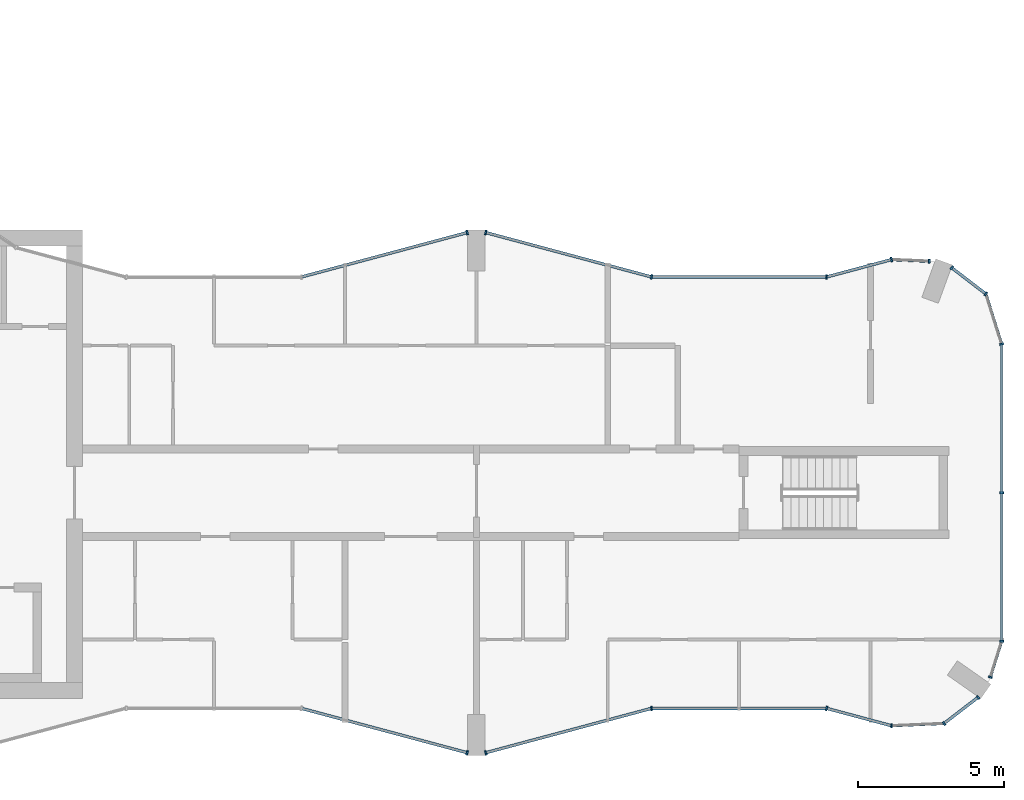
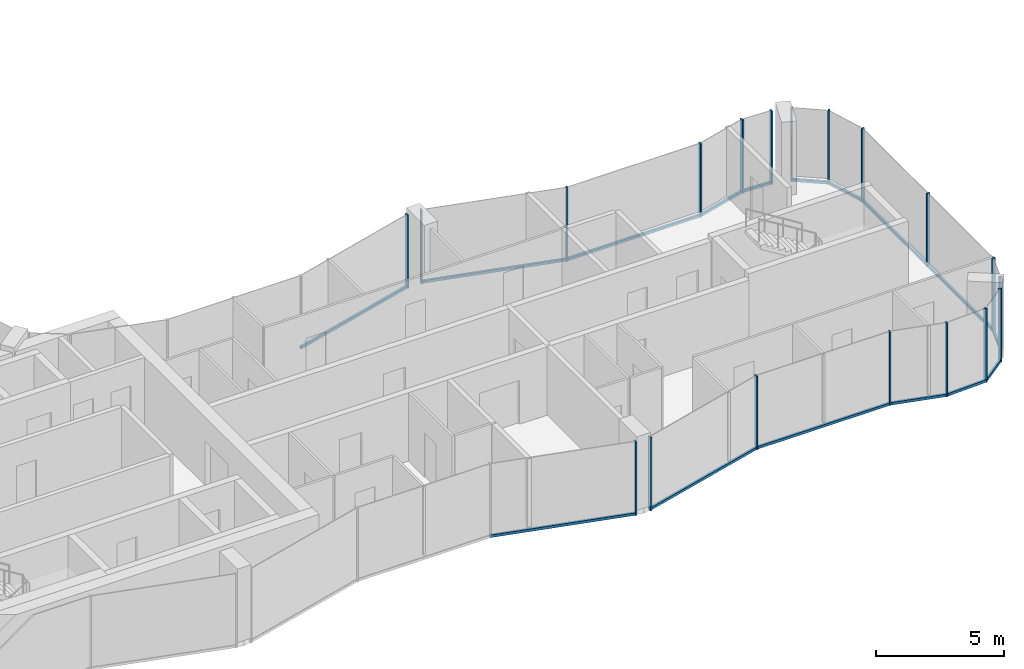
# One storey, part 6 of 15: 34 members, 15 elements without a shape of their own.
"""IFC4 building model written with IfcOpenShell, lengths in metres."""

from ifc_helpers import new_model, si_unit, direction, frame, origin, origin_2d, place, context, subcontext, project, spatial, rectangle, extrude, material, layer, layer_set, material_profile, profile_set, type_object, element, aggregate, save


model = new_model("IFC4")

# Units and contexts
model_context = context("Model", 3, precision=1e-05, world=origin(), true_north=direction((0.0, 1.0)))
body_context = subcontext(model_context, "Body", "Model", "MODEL_VIEW")
ifc_project = project(units=[si_unit("LENGTHUNIT", "METRE"), si_unit("AREAUNIT", "SQUARE_METRE"), si_unit("VOLUMEUNIT", "CUBIC_METRE"), si_unit("PLANEANGLEUNIT", "RADIAN"), si_unit("MASSUNIT", "GRAM", prefix="KILO")], contexts=[model_context])

# Site, building, storey
site_placement = place(None, origin())
site = spatial("IfcSite", under=ifc_project, at=site_placement, CompositionType="ELEMENT")
building_placement = place(site_placement, origin())
building = spatial("IfcBuilding", under=site, at=building_placement, Name="Plateau Cross Towers", CompositionType="ELEMENT")
storey_placement = place(building_placement, frame((0.0, 0.0, 204.89990234375)))
storey = spatial("IfcBuildingStorey", under=building, at=storey_placement, Name="L53", CompositionType="ELEMENT", Elevation=204.89990234375)

# Curtain wall, member
ifc_material_1 = material(Name="Dark low-iron glass", Category="glass")
ifc_layer_1 = layer(ifc_material_1, 0.239990234375)
ifc_layer_set_1 = layer_set([ifc_layer_1], Name="Dark low-iron glass")
curtain_wall_type_1 = type_object("IfcCurtainWallType", Name="Curtain wall flush unitised CW-B", PredefinedType="NOTDEFINED", material=ifc_layer_set_1)
curtain_wall_1_placement = place(storey_placement, origin())
curtain_wall_1 = element("IfcCurtainWall", 1, at=curtain_wall_1_placement, inside=storey, type_object=curtain_wall_type_1, Name="ENV/A/L53/A502_10", PredefinedType="NOTDEFINED")
ifc_material_2 = material(Name="Black anodised aluminium", Category="aluminium")
ifc_material_profile_1 = material_profile(ifc_material_2, rectangle(XDim=0.06005859375, YDim=0.139892578125, at=origin_2d()), Name="MULLION 60x140")
ifc_profile_set_1 = profile_set([ifc_material_profile_1], Name="Black anodised aluminium")
member_type_1 = type_object("IfcMemberType", Name="Mullion 60x140 flush unitised", PredefinedType="MULLION", material=ifc_profile_set_1)
member_1_placement = place(storey_placement, frame((50.223876953125, 1.01123046875, -0.25), z_axis=(0.0, 0.0, 1.0), x_axis=(0.999043701491, 0.043722791671, 0.0)))
member_1 = element("IfcMember", 2, at=member_1_placement, type_object=member_type_1, Name="CW-B mullion 1", PredefinedType="MULLION", context=body_context, shape_type="SweptSolid", body=[
    extrude(rectangle(XDim=0.06005859375, YDim=0.139892578125, at=origin_2d()), origin(), (0.0, 0.0, 1.0), 3.5),
])

# Curtain wall, members
curtain_wall_2_placement = place(storey_placement, origin())
curtain_wall_2 = element("IfcCurtainWall", 3, at=curtain_wall_2_placement, inside=storey, type_object=curtain_wall_type_1, Name="ENV/A/L53/A520_11", PredefinedType="NOTDEFINED")
member_2_placement = place(storey_placement, frame((52.0263671875, 1.090087890625, -0.25), z_axis=(0.0, 0.0, 1.0), x_axis=(0.793315514529, 0.608810721331, 0.0)))
member_2 = element("IfcMember", 4, at=member_2_placement, type_object=member_type_1, Name="CW-B mullion 1", PredefinedType="MULLION", context=body_context, shape_type="SweptSolid", body=[
    extrude(rectangle(XDim=0.06005859375, YDim=0.139892578125, at=origin_2d()), origin(), (0.0, 0.0, 1.0), 3.5),
])
member_3_placement = place(storey_placement, frame((53.193603515625, 1.986083984375, -0.25), z_axis=(0.0, 0.0, 1.0), x_axis=(0.793315514529, 0.608810721331, 0.0)))
member_3 = element("IfcMember", 5, at=member_3_placement, type_object=member_type_1, Name="CW-B mullion 2", PredefinedType="MULLION", context=body_context, shape_type="SweptSolid", body=[
    extrude(rectangle(XDim=0.06005859375, YDim=0.139892578125, at=origin_2d()), origin(), (0.0, 0.0, 1.0), 3.5),
])

# Curtain wall, member
curtain_wall_3_placement = place(storey_placement, origin())
curtain_wall_3 = element("IfcCurtainWall", 6, at=curtain_wall_3_placement, inside=storey, type_object=curtain_wall_type_1, Name="ENV/A/L53/A536_27", PredefinedType="NOTDEFINED")
member_4_placement = place(storey_placement, frame((53.611083984375, 2.67529296875, -0.25), z_axis=(0.0, 0.0, 1.0), x_axis=(0.300686174994, 0.95372313811, 0.0)))
member_4 = element("IfcMember", 7, at=member_4_placement, type_object=member_type_1, Name="CW-B mullion 1", PredefinedType="MULLION", context=body_context, shape_type="SweptSolid", body=[
    extrude(rectangle(XDim=0.06005859375, YDim=0.139892578125, at=origin_2d()), origin(), (0.0, 0.0, 1.0), 3.5),
])

# Curtain wall, members
curtain_wall_4_placement = place(storey_placement, origin())
curtain_wall_4 = element("IfcCurtainWall", 8, at=curtain_wall_4_placement, inside=storey, type_object=curtain_wall_type_1, Name="ENV/A/L53/A540_39", PredefinedType="NOTDEFINED")
member_5_placement = place(storey_placement, frame((54.0, 3.9091796875, -0.25), z_axis=(0.0, 0.0, 1.0), x_axis=(0.0, 1.0, 0.0)))
member_5 = element("IfcMember", 9, at=member_5_placement, type_object=member_type_1, Name="CW-B mullion 1", PredefinedType="MULLION", context=body_context, shape_type="SweptSolid", body=[
    extrude(rectangle(XDim=0.06005859375, YDim=0.139892578125, at=origin_2d()), origin(), (0.0, 0.0, 1.0), 3.5),
])
member_6_placement = place(storey_placement, frame((54.0, 9.0, -0.25), z_axis=(0.0, 0.0, 1.0), x_axis=(0.0, 1.0, 0.0)))
member_6 = element("IfcMember", 10, at=member_6_placement, type_object=member_type_1, Name="CW-B mullion 2", PredefinedType="MULLION", context=body_context, shape_type="SweptSolid", body=[
    extrude(rectangle(XDim=0.06005859375, YDim=0.139892578125, at=origin_2d()), origin(), (0.0, 0.0, 1.0), 3.5),
])

# Curtain wall, member
curtain_wall_5_placement = place(storey_placement, origin())
curtain_wall_5 = element("IfcCurtainWall", 11, at=curtain_wall_5_placement, inside=storey, type_object=curtain_wall_type_1, Name="ENV/A/L53/A540_141", PredefinedType="NOTDEFINED")
member_7_placement = place(storey_placement, frame((54.0, 14.0908203125, -0.25), z_axis=(0.0, 0.0, 1.0), x_axis=(-0.300686174994, 0.95372313811, 0.0)))
member_7 = element("IfcMember", 12, at=member_7_placement, type_object=member_type_1, Name="CW-B mullion 1", PredefinedType="MULLION", context=body_context, shape_type="SweptSolid", body=[
    extrude(rectangle(XDim=0.06005859375, YDim=0.139892578125, at=origin_2d()), origin(), (0.0, 0.0, 1.0), 3.5),
])

# Curtain wall, members
curtain_wall_6_placement = place(storey_placement, origin())
curtain_wall_6 = element("IfcCurtainWall", 13, at=curtain_wall_6_placement, inside=storey, type_object=curtain_wall_type_1, Name="ENV/A/L53/A535_158", PredefinedType="NOTDEFINED")
member_8_placement = place(storey_placement, frame((53.45751953125, 15.8115234375, -0.25), z_axis=(0.0, 0.0, 1.0), x_axis=(-0.793315514529, 0.608810721331, 0.0)))
member_8 = element("IfcMember", 14, at=member_8_placement, type_object=member_type_1, Name="CW-B mullion 1", PredefinedType="MULLION", context=body_context, shape_type="SweptSolid", body=[
    extrude(rectangle(XDim=0.06005859375, YDim=0.139892578125, at=origin_2d()), origin(), (0.0, 0.0, 1.0), 3.5),
])
member_9_placement = place(storey_placement, frame((52.290283203125, 16.707275390625, -0.25), z_axis=(0.0, 0.0, 1.0), x_axis=(-0.793315514529, 0.608810721331, 0.0)))
member_9 = element("IfcMember", 15, at=member_9_placement, type_object=member_type_1, Name="CW-B mullion 2", PredefinedType="MULLION", context=body_context, shape_type="SweptSolid", body=[
    extrude(rectangle(XDim=0.06005859375, YDim=0.139892578125, at=origin_2d()), origin(), (0.0, 0.0, 1.0), 3.5),
])

# Curtain wall, member
curtain_wall_7_placement = place(storey_placement, origin())
curtain_wall_7 = element("IfcCurtainWall", 16, at=curtain_wall_7_placement, inside=storey, type_object=curtain_wall_type_1, Name="ENV/A/L53/A515_169", PredefinedType="NOTDEFINED")
member_10_placement = place(storey_placement, frame((51.516357421875, 16.93212890625, -0.25), z_axis=(0.0, 0.0, 1.0), x_axis=(-0.999043701491, 0.043722791671, 0.0)))
member_10 = element("IfcMember", 17, at=member_10_placement, type_object=member_type_1, Name="CW-B mullion 1", PredefinedType="MULLION", context=body_context, shape_type="SweptSolid", body=[
    extrude(rectangle(XDim=0.06005859375, YDim=0.139892578125, at=origin_2d()), origin(), (0.0, 0.0, 1.0), 3.5),
])

ifc_layer_2 = layer(ifc_material_1, 0.260009765625)
ifc_layer_set_2 = layer_set([ifc_layer_2], Name="Dark low-iron glass")
curtain_wall_type_2 = type_object("IfcCurtainWallType", Name="Curtain wall fluted unitised CW-A", PredefinedType="NOTDEFINED", material=ifc_layer_set_2)
curtain_wall_8_placement = place(storey_placement, origin())
curtain_wall_8 = element("IfcCurtainWall", 18, at=curtain_wall_8_placement, inside=storey, type_object=curtain_wall_type_2, Name="ENV/A/L53/A300_16", PredefinedType="NOTDEFINED")
ifc_material_profile_2 = material_profile(ifc_material_2, rectangle(XDim=0.06005859375, YDim=0.159912109375, at=origin_2d()), Name="MULLION 60x160")
ifc_profile_set_2 = profile_set([ifc_material_profile_2], Name="Black anodised aluminium")
member_type_2 = type_object("IfcMemberType", Name="Mullion 60x160 fluted unitised", PredefinedType="MULLION", material=ifc_profile_set_2)
member_11_placement = place(storey_placement, frame((35.68212890625, 0.085205078125, -0.25), z_axis=(0.0, 0.0, 1.0), x_axis=(0.965957983404, -0.258699003279, 0.0)))
member_11 = element("IfcMember", 19, at=member_11_placement, type_object=member_type_2, Name="CW-A mullion 2", PredefinedType="MULLION", context=body_context, shape_type="SweptSolid", body=[
    extrude(rectangle(XDim=0.06005859375, YDim=0.159912109375, at=origin_2d()), origin(), (0.0, 0.0, 1.0), 3.5),
])

curtain_wall_9_placement = place(storey_placement, origin())
curtain_wall_9 = element("IfcCurtainWall", 20, at=curtain_wall_9_placement, inside=storey, type_object=curtain_wall_type_2, Name="ENV/A/L53/A363_1", PredefinedType="NOTDEFINED")
member_12_placement = place(storey_placement, frame((36.31787109375, 0.085205078125, -0.25), z_axis=(0.0, 0.0, 1.0), x_axis=(0.965957983404, 0.258699003279, 0.0)))
member_12 = element("IfcMember", 21, at=member_12_placement, type_object=member_type_2, Name="CW-A mullion 1", PredefinedType="MULLION", context=body_context, shape_type="SweptSolid", body=[
    extrude(rectangle(XDim=0.06005859375, YDim=0.159912109375, at=origin_2d()), origin(), (0.0, 0.0, 1.0), 3.5),
])

curtain_wall_10_placement = place(storey_placement, origin())
curtain_wall_10 = element("IfcCurtainWall", 22, at=curtain_wall_10_placement, inside=storey, type_object=curtain_wall_type_2, Name="ENV/A/L53/A420_16", PredefinedType="NOTDEFINED")
member_13_placement = place(storey_placement, frame((42.0, 1.60693359375, -0.25), z_axis=(0.0, 0.0, 1.0), x_axis=(1.0, 0.0, 0.0)))
member_13 = element("IfcMember", 23, at=member_13_placement, type_object=member_type_2, Name="CW-A mullion 1", PredefinedType="MULLION", context=body_context, shape_type="SweptSolid", body=[
    extrude(rectangle(XDim=0.06005859375, YDim=0.159912109375, at=origin_2d()), origin(), (0.0, 0.0, 1.0), 3.5),
])

curtain_wall_11_placement = place(storey_placement, origin())
curtain_wall_11 = element("IfcCurtainWall", 24, at=curtain_wall_11_placement, inside=storey, type_object=curtain_wall_type_2, Name="ENV/A/L53/A480_16", PredefinedType="NOTDEFINED")
member_14_placement = place(storey_placement, frame((48.0, 1.60693359375, -0.25), z_axis=(0.0, 0.0, 1.0), x_axis=(0.965957962328, -0.258699081978, 0.0)))
member_14 = element("IfcMember", 25, at=member_14_placement, type_object=member_type_2, Name="CW-A mullion 1", PredefinedType="MULLION", context=body_context, shape_type="SweptSolid", body=[
    extrude(rectangle(XDim=0.06005859375, YDim=0.159912109375, at=origin_2d()), origin(), (0.0, 0.0, 1.0), 3.5),
])

curtain_wall_12_placement = place(storey_placement, origin())
curtain_wall_12 = element("IfcCurtainWall", 26, at=curtain_wall_12_placement, inside=storey, type_object=curtain_wall_type_2, Name="ENV/A/L53/A502_170", PredefinedType="NOTDEFINED")
member_15_placement = place(storey_placement, frame((50.223876953125, 16.98876953125, -0.25), z_axis=(0.0, 0.0, 1.0), x_axis=(-0.965957962328, -0.258699081978, 0.0)))
member_15 = element("IfcMember", 27, at=member_15_placement, type_object=member_type_2, Name="CW-A mullion 1", PredefinedType="MULLION", context=body_context, shape_type="SweptSolid", body=[
    extrude(rectangle(XDim=0.06005859375, YDim=0.159912109375, at=origin_2d()), origin(), (0.0, 0.0, 1.0), 3.5),
])

curtain_wall_13_placement = place(storey_placement, origin())
curtain_wall_13 = element("IfcCurtainWall", 28, at=curtain_wall_13_placement, inside=storey, type_object=curtain_wall_type_2, Name="ENV/A/L53/A480_164", PredefinedType="NOTDEFINED")
member_16_placement = place(storey_placement, frame((48.0, 16.39306640625, -0.25), z_axis=(0.0, 0.0, 1.0), x_axis=(-1.0, 0.0, 0.0)))
member_16 = element("IfcMember", 29, at=member_16_placement, type_object=member_type_2, Name="CW-A mullion 1", PredefinedType="MULLION", context=body_context, shape_type="SweptSolid", body=[
    extrude(rectangle(XDim=0.06005859375, YDim=0.159912109375, at=origin_2d()), origin(), (0.0, 0.0, 1.0), 3.5),
])

# Curtain wall, members
curtain_wall_14_placement = place(storey_placement, origin())
curtain_wall_14 = element("IfcCurtainWall", 30, at=curtain_wall_14_placement, inside=storey, type_object=curtain_wall_type_2, Name="ENV/A/L53/A420_164", PredefinedType="NOTDEFINED")
member_17_placement = place(storey_placement, frame((42.0, 16.39306640625, -0.25), z_axis=(0.0, 0.0, 1.0), x_axis=(-0.965957983404, 0.258699003279, 0.0)))
member_17 = element("IfcMember", 31, at=member_17_placement, type_object=member_type_2, Name="CW-A mullion 1", PredefinedType="MULLION", context=body_context, shape_type="SweptSolid", body=[
    extrude(rectangle(XDim=0.06005859375, YDim=0.159912109375, at=origin_2d()), origin(), (0.0, 0.0, 1.0), 3.5),
])
member_18_placement = place(storey_placement, frame((36.31787109375, 17.914794921875, -0.25), z_axis=(0.0, 0.0, 1.0), x_axis=(-0.965957983404, 0.258699003279, 0.0)))
member_18 = element("IfcMember", 32, at=member_18_placement, type_object=member_type_2, Name="CW-A mullion 2", PredefinedType="MULLION", context=body_context, shape_type="SweptSolid", body=[
    extrude(rectangle(XDim=0.06005859375, YDim=0.159912109375, at=origin_2d()), origin(), (0.0, 0.0, 1.0), 3.5),
])

# Curtain wall, member
curtain_wall_15_placement = place(storey_placement, origin())
curtain_wall_15 = element("IfcCurtainWall", 33, at=curtain_wall_15_placement, inside=storey, type_object=curtain_wall_type_2, Name="ENV/A/L53/A357_179", PredefinedType="NOTDEFINED")
member_19_placement = place(storey_placement, frame((35.68212890625, 17.914794921875, -0.25), z_axis=(0.0, 0.0, 1.0), x_axis=(-0.965957983404, -0.258699003279, 0.0)))
member_19 = element("IfcMember", 34, at=member_19_placement, type_object=member_type_2, Name="CW-A mullion 1", PredefinedType="MULLION", context=body_context, shape_type="SweptSolid", body=[
    extrude(rectangle(XDim=0.06005859375, YDim=0.159912109375, at=origin_2d()), origin(), (0.0, 0.0, 1.0), 3.5),
])

# Member
ifc_material_profile_3 = material_profile(ifc_material_2, rectangle(XDim=0.10009765625, YDim=0.1201171875, at=origin_2d()), Name="TRANSOM 100x120")
ifc_profile_set_3 = profile_set([ifc_material_profile_3], Name="Black anodised aluminium")
member_type_3 = type_object("IfcMemberType", Name="Transom 100x120 flush unitised", PredefinedType="USERDEFINED", material=ifc_profile_set_3)
member_20_placement = place(storey_placement, frame((50.223876953125, 1.01123046875, -0.18994140625), z_axis=(0.999044377355, 0.043707345779, 0.0), x_axis=(-0.043707345779, 0.999044377355, 0.0)))
member_20 = element("IfcMember", 35, at=member_20_placement, type_object=member_type_3, Name="CW-B transom", ObjectType="TRANSOM", PredefinedType="USERDEFINED", context=body_context, shape_type="SweptSolid", body=[
    extrude(rectangle(XDim=0.10009765625, YDim=0.1201171875, at=origin_2d()), origin(), (0.0, 0.0, 1.0), 1.80419921875),
])

aggregate(curtain_wall_1, [member_1, member_20])

member_21_placement = place(storey_placement, frame((52.0263671875, 1.090087890625, -0.18994140625), z_axis=(0.793240368515, 0.608908628415, 0.0), x_axis=(-0.608908628415, 0.793240368515, 0.0)))
member_21 = element("IfcMember", 36, at=member_21_placement, type_object=member_type_3, Name="CW-B transom", ObjectType="TRANSOM", PredefinedType="USERDEFINED", context=body_context, shape_type="SweptSolid", body=[
    extrude(rectangle(XDim=0.10009765625, YDim=0.1201171875, at=origin_2d()), origin(), (0.0, 0.0, 1.0), 1.471435546875),
])

aggregate(curtain_wall_2, [member_2, member_3, member_21])

member_22_placement = place(storey_placement, frame((53.611083984375, 2.67529296875, -0.18994140625), z_axis=(0.300616528216, 0.953745093284, 0.0), x_axis=(-0.953745093284, 0.300616528216, 0.0)))
member_22 = element("IfcMember", 37, at=member_22_placement, type_object=member_type_3, Name="CW-B transom", ObjectType="TRANSOM", PredefinedType="USERDEFINED", context=body_context, shape_type="SweptSolid", body=[
    extrude(rectangle(XDim=0.10009765625, YDim=0.1201171875, at=origin_2d()), origin(), (0.0, 0.0, 1.0), 1.293701171875),
])

aggregate(curtain_wall_3, [member_4, member_22])

member_23_placement = place(storey_placement, frame((54.0, 3.9091796875, -0.18994140625), z_axis=(0.0, 1.0, 0.0), x_axis=(-1.0, 0.0, 0.0)))
member_23 = element("IfcMember", 38, at=member_23_placement, type_object=member_type_3, Name="CW-B transom", ObjectType="TRANSOM", PredefinedType="USERDEFINED", context=body_context, shape_type="SweptSolid", body=[
    extrude(rectangle(XDim=0.10009765625, YDim=0.1201171875, at=origin_2d()), origin(), (0.0, 0.0, 1.0), 10.181640625),
])

aggregate(curtain_wall_4, [member_5, member_6, member_23])

member_24_placement = place(storey_placement, frame((54.0, 14.0908203125, -0.18994140625), z_axis=(-0.30067799945, 0.953725715626, 0.0), x_axis=(-0.953725715626, -0.30067799945, 0.0)))
member_24 = element("IfcMember", 39, at=member_24_placement, type_object=member_type_3, Name="CW-B transom", ObjectType="TRANSOM", PredefinedType="USERDEFINED", context=body_context, shape_type="SweptSolid", body=[
    extrude(rectangle(XDim=0.10009765625, YDim=0.1201171875, at=origin_2d()), origin(), (0.0, 0.0, 1.0), 1.80419921875),
])

aggregate(curtain_wall_5, [member_7, member_24])

member_25_placement = place(storey_placement, frame((53.45751953125, 15.8115234375, -0.18994140625), z_axis=(-0.793320508571, 0.608804213751, 0.0), x_axis=(-0.608804213751, -0.793320508571, 0.0)))
member_25 = element("IfcMember", 40, at=member_25_placement, type_object=member_type_3, Name="CW-B transom", ObjectType="TRANSOM", PredefinedType="USERDEFINED", context=body_context, shape_type="SweptSolid", body=[
    extrude(rectangle(XDim=0.10009765625, YDim=0.1201171875, at=origin_2d()), origin(), (0.0, 0.0, 1.0), 1.471435546875),
])

aggregate(curtain_wall_6, [member_8, member_9, member_25])

member_26_placement = place(storey_placement, frame((51.516357421875, 16.93212890625, -0.18994140625), z_axis=(-0.999041144614, 0.043781175963, 0.0), x_axis=(-0.043781175963, -0.999041144614, 0.0)))
member_26 = element("IfcMember", 41, at=member_26_placement, type_object=member_type_3, Name="CW-B transom", ObjectType="TRANSOM", PredefinedType="USERDEFINED", context=body_context, shape_type="SweptSolid", body=[
    extrude(rectangle(XDim=0.10009765625, YDim=0.1201171875, at=origin_2d()), origin(), (0.0, 0.0, 1.0), 1.293701171875),
])

aggregate(curtain_wall_7, [member_10, member_26])

ifc_material_profile_4 = material_profile(ifc_material_2, rectangle(XDim=0.10009765625, YDim=0.1201171875, at=origin_2d()), Name="TRANSOM 100x120")
ifc_profile_set_4 = profile_set([ifc_material_profile_4], Name="Black anodised aluminium")
member_type_4 = type_object("IfcMemberType", Name="Transom 100x120 fluted unitised", PredefinedType="USERDEFINED", material=ifc_profile_set_4)
member_27_placement = place(storey_placement, frame((30.0, 1.60693359375, -0.18994140625), z_axis=(0.965959534794, -0.258693210465, 0.0), x_axis=(0.258693210465, 0.965959534794, 0.0)))
member_27 = element("IfcMember", 42, at=member_27_placement, type_object=member_type_4, Name="CW-A transom", ObjectType="TRANSOM", PredefinedType="USERDEFINED", context=body_context, shape_type="SweptSolid", body=[
    extrude(rectangle(XDim=0.10009765625, YDim=0.1201171875, at=origin_2d()), origin(), (0.0, 0.0, 1.0), 5.88232421875),
])

aggregate(curtain_wall_8, [member_11, member_27])

member_28_placement = place(storey_placement, frame((36.31787109375, 0.085205078125, -0.18994140625), z_axis=(0.965959534794, 0.258693210465, 0.0), x_axis=(-0.258693210465, 0.965959534794, 0.0)))
member_28 = element("IfcMember", 43, at=member_28_placement, type_object=member_type_4, Name="CW-A transom", ObjectType="TRANSOM", PredefinedType="USERDEFINED", context=body_context, shape_type="SweptSolid", body=[
    extrude(rectangle(XDim=0.10009765625, YDim=0.1201171875, at=origin_2d()), origin(), (0.0, 0.0, 1.0), 5.88232421875),
])

aggregate(curtain_wall_9, [member_12, member_28])

member_29_placement = place(storey_placement, frame((42.0, 1.60693359375, -0.18994140625), z_axis=(1.0, 0.0, 0.0), x_axis=(0.0, 1.0, 0.0)))
member_29 = element("IfcMember", 44, at=member_29_placement, type_object=member_type_4, Name="CW-A transom", ObjectType="TRANSOM", PredefinedType="USERDEFINED", context=body_context, shape_type="SweptSolid", body=[
    extrude(rectangle(XDim=0.10009765625, YDim=0.1201171875, at=origin_2d()), origin(), (0.0, 0.0, 1.0), 6.0),
])

aggregate(curtain_wall_10, [member_13, member_29])

member_30_placement = place(storey_placement, frame((48.0, 1.60693359375, -0.18994140625), z_axis=(0.965945685136, -0.258744919501, 0.0), x_axis=(0.258744919501, 0.965945685136, 0.0)))
member_30 = element("IfcMember", 45, at=member_30_placement, type_object=member_type_4, Name="CW-A transom", ObjectType="TRANSOM", PredefinedType="USERDEFINED", context=body_context, shape_type="SweptSolid", body=[
    extrude(rectangle(XDim=0.10009765625, YDim=0.1201171875, at=origin_2d()), origin(), (0.0, 0.0, 1.0), 2.30224609375),
])

aggregate(curtain_wall_11, [member_14, member_30])

member_31_placement = place(storey_placement, frame((50.223876953125, 16.98876953125, -0.18994140625), z_axis=(-0.965945685136, -0.258744919501, 0.0), x_axis=(0.258744919501, -0.965945685136, 0.0)))
member_31 = element("IfcMember", 46, at=member_31_placement, type_object=member_type_4, Name="CW-A transom", ObjectType="TRANSOM", PredefinedType="USERDEFINED", context=body_context, shape_type="SweptSolid", body=[
    extrude(rectangle(XDim=0.10009765625, YDim=0.1201171875, at=origin_2d()), origin(), (0.0, 0.0, 1.0), 2.30224609375),
])

aggregate(curtain_wall_12, [member_15, member_31])

member_32_placement = place(storey_placement, frame((48.0, 16.39306640625, -0.18994140625), z_axis=(-1.0, 0.0, 0.0), x_axis=(0.0, -1.0, 0.0)))
member_32 = element("IfcMember", 47, at=member_32_placement, type_object=member_type_4, Name="CW-A transom", ObjectType="TRANSOM", PredefinedType="USERDEFINED", context=body_context, shape_type="SweptSolid", body=[
    extrude(rectangle(XDim=0.10009765625, YDim=0.1201171875, at=origin_2d()), origin(), (0.0, 0.0, 1.0), 6.0),
])

aggregate(curtain_wall_13, [member_16, member_32])

member_33_placement = place(storey_placement, frame((42.0, 16.39306640625, -0.18994140625), z_axis=(-0.965959534794, 0.258693210465, 0.0), x_axis=(-0.258693210465, -0.965959534794, 0.0)))
member_33 = element("IfcMember", 48, at=member_33_placement, type_object=member_type_4, Name="CW-A transom", ObjectType="TRANSOM", PredefinedType="USERDEFINED", context=body_context, shape_type="SweptSolid", body=[
    extrude(rectangle(XDim=0.10009765625, YDim=0.1201171875, at=origin_2d()), origin(), (0.0, 0.0, 1.0), 5.88232421875),
])

aggregate(curtain_wall_14, [member_17, member_18, member_33])

member_34_placement = place(storey_placement, frame((35.68212890625, 17.914794921875, -0.18994140625), z_axis=(-0.965959534794, -0.258693210465, 0.0), x_axis=(0.258693210465, -0.965959534794, 0.0)))
member_34 = element("IfcMember", 49, at=member_34_placement, type_object=member_type_4, Name="CW-A transom", ObjectType="TRANSOM", PredefinedType="USERDEFINED", context=body_context, shape_type="SweptSolid", body=[
    extrude(rectangle(XDim=0.10009765625, YDim=0.1201171875, at=origin_2d()), origin(), (0.0, 0.0, 1.0), 5.88232421875),
])

aggregate(curtain_wall_15, [member_19, member_34])

save(model, "model.ifc")
